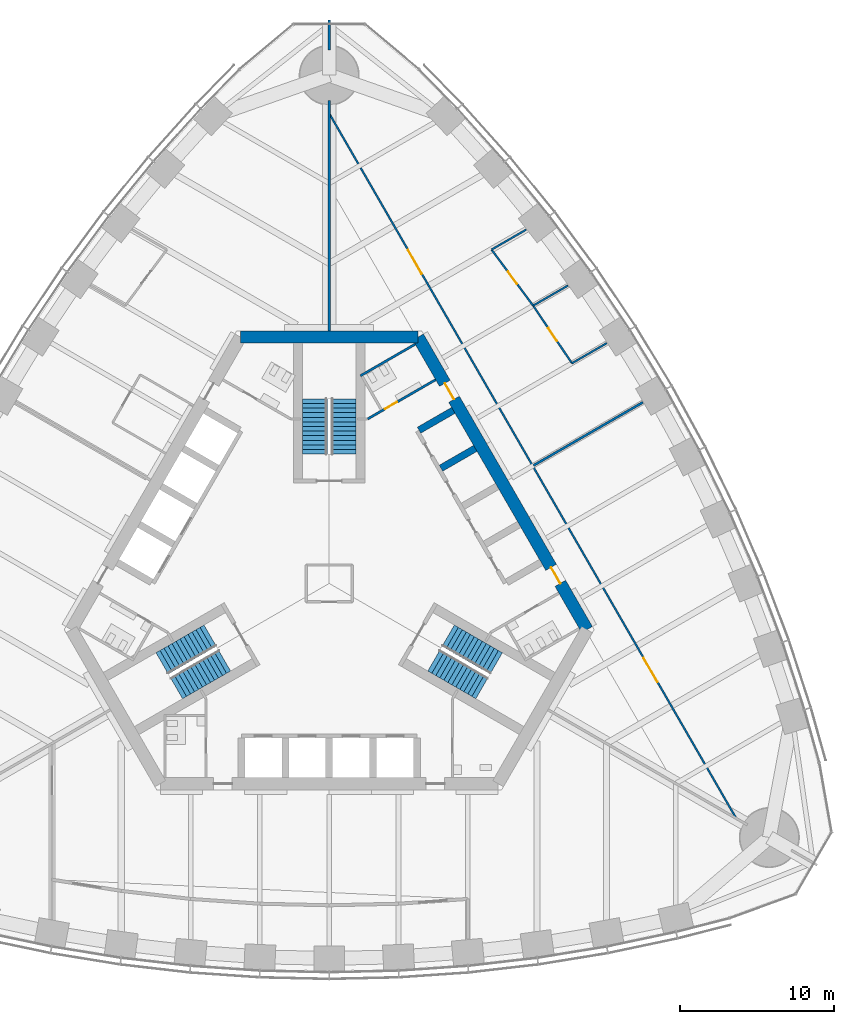
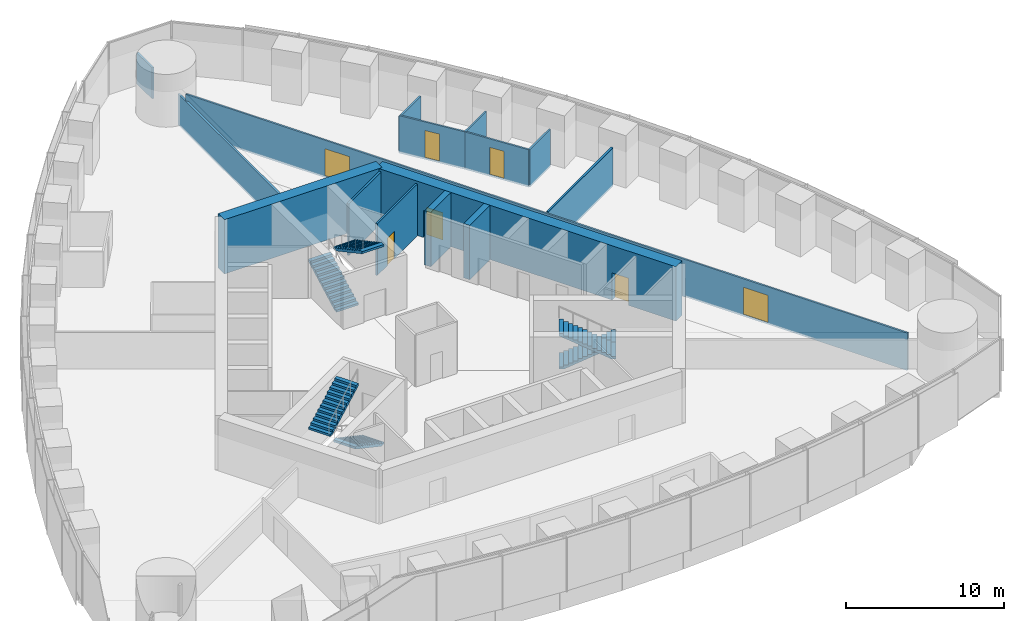
# One storey, part 13 of 18: 15 walls, 7 doors, 6 stair flights, 7 openings, 3 elements without a shape of their own.
"""IFC4 building model written with IfcOpenShell, lengths in metres."""

from ifc_helpers import new_model, si_unit, direction, frame, frame_2d, origin, place, context, subcontext, project, spatial, polyline, rectangle, outline, extrude, material, layer, layer_set, type_object, element, fill, aggregate, save


model = new_model("IFC4")

# Units and contexts
model_context = context("Model", 3, precision=1e-05, world=origin(), true_north=direction((0.0, 1.0)))
body_context = subcontext(model_context, "Body", "Model", "MODEL_VIEW")
ifc_project = project(units=[si_unit("LENGTHUNIT", "METRE"), si_unit("AREAUNIT", "SQUARE_METRE"), si_unit("VOLUMEUNIT", "CUBIC_METRE"), si_unit("PLANEANGLEUNIT", "RADIAN"), si_unit("MASSUNIT", "GRAM", prefix="KILO")], contexts=[model_context])

# Site, building, storey
site_placement = place(None, origin())
site = spatial("IfcSite", under=ifc_project, at=site_placement, CompositionType="ELEMENT")
building_placement = place(site_placement, origin())
building = spatial("IfcBuilding", under=site, at=building_placement, Name="Trefoil Bronze Tower", CompositionType="ELEMENT")
storey_placement = place(building_placement, frame((0.0, 0.0, 198.10009765625)))
storey = spatial("IfcBuildingStorey", under=building, at=storey_placement, Name="L45", CompositionType="ELEMENT", Elevation=198.10009765625)

# Wall, openings, doors
ifc_material_1 = material(Name="Concrete B80", Category="concrete")
ifc_layer_1 = layer(ifc_material_1, 0.800048828125)
ifc_layer_set_1 = layer_set([ifc_layer_1], Name="Core wall 800")
wall_type_1 = type_object("IfcWallType", Name="Core wall 800", PredefinedType="SHEAR", material=ifc_layer_set_1)
wall_1_placement = place(storey_placement, frame((16.7431640625, -3.0, 0.0), z_axis=(0.0, 0.0, 1.0), x_axis=(-0.500002442456, 0.866023993627, 0.0)))
wall_1 = element("IfcWall", 1, at=wall_1_placement, inside=storey, type_object=wall_type_1, Name="Core long wall 2 L45", PredefinedType="SHEAR", context=body_context, shape_type="SweptSolid", body=[
    extrude(rectangle(XDim=21.939453125, YDim=0.800048828125, at=frame_2d((10.9697265625, 0.0))), origin(), (0.0, 0.0, 1.0), 4.199951171875),
])
opening_1_placement = place(wall_1_placement, frame((17.269775390625, 0.0, 0.0)))
opening_1 = element("IfcOpeningElement", 2, at=opening_1_placement, cuts=wall_1, Name="Opening D2", PredefinedType="OPENING", context=body_context, shape_type="SweptSolid", body=[
    extrude(rectangle(XDim=1.199951171875, YDim=2.10009765625, at=frame_2d((0.60009765625, 1.050048828125))), frame((0.0, 0.409912109375, 0.0), z_axis=(0.0, -1.0, 0.0), x_axis=(1.0, 0.0, 0.0)), (0.0, 0.0, 1.0), 0.820068359375),
])
opening_2_placement = place(wall_1_placement, frame((3.4697265625, 0.0, 0.0)))
opening_2 = element("IfcOpeningElement", 3, at=opening_2_placement, cuts=wall_1, Name="Opening D2", PredefinedType="OPENING", context=body_context, shape_type="SweptSolid", body=[
    extrude(rectangle(XDim=1.199951171875, YDim=2.10009765625, at=frame_2d((0.60009765625, 1.050048828125))), frame((0.0, 0.409912109375, 0.0), z_axis=(0.0, -1.0, 0.0), x_axis=(1.0, 0.0, 0.0)), (0.0, 0.0, 1.0), 0.820068359375),
])
ifc_material_2 = material(Name="Steel door", Category="steel")
door_type_1 = type_object("IfcDoorType", Name="Lobby door 1200", OperationType="SINGLE_SWING_RIGHT", PredefinedType="DOOR", material=ifc_material_2)
door_1_placement = place(opening_1_placement, origin())
door_1 = element("IfcDoor", 4, at=door_1_placement, inside=storey, type_object=door_type_1, Name="Lobby door F2+ L45", OperationType="SINGLE_SWING_RIGHT", OverallHeight=2.10009765625, OverallWidth=1.199951171875, PredefinedType="DOOR", context=body_context, shape_type="SweptSolid", body=[
    extrude(rectangle(XDim=1.199951171875, YDim=2.10009765625, at=frame_2d((0.60009765625, 1.050048828125))), frame((0.0, 0.02490234375, 0.0), z_axis=(0.0, -1.0, 0.0), x_axis=(1.0, 0.0, 0.0)), (0.0, 0.0, 1.0), 0.050048828125),
])
fill(opening_1, door_1)
door_2_placement = place(opening_2_placement, origin())
door_2 = element("IfcDoor", 5, at=door_2_placement, inside=storey, type_object=door_type_1, Name="Lobby door F2- L45", OperationType="SINGLE_SWING_LEFT", OverallHeight=2.10009765625, OverallWidth=1.199951171875, PredefinedType="DOOR", context=body_context, shape_type="SweptSolid", body=[
    extrude(rectangle(XDim=1.199951171875, YDim=2.10009765625, at=frame_2d((0.60009765625, 1.050048828125))), frame((0.0, 0.02490234375, 0.0), z_axis=(0.0, -1.0, 0.0), x_axis=(1.0, 0.0, 0.0)), (0.0, 0.0, 1.0), 0.050048828125),
])
fill(opening_2, door_2)

# Wall
wall_2_placement = place(storey_placement, frame((5.7734375, 16.0, 0.0), z_axis=(0.0, 0.0, 1.0), x_axis=(-1.0, 0.0, 0.0)))
element("IfcWall", 6, at=wall_2_placement, inside=storey, type_object=wall_type_1, Name="Core short wall 2 L45", PredefinedType="SHEAR", context=body_context, shape_type="SweptSolid", body=[
    extrude(rectangle(XDim=11.546875, YDim=0.800048828125, at=frame_2d((5.7734375, 0.0))), origin(), (0.0, 0.0, 1.0), 4.199951171875),
])

# Wall, openings, doors
ifc_material_3 = material(Name="Glazed partition", Category="glass")
ifc_layer_2 = layer(ifc_material_3, 0.1201171875)
ifc_layer_set_2 = layer_set([ifc_layer_2], Name="Glazed partition 120")
wall_type_2 = type_object("IfcWallType", Name="Glazed partition 120", PredefinedType="PARTITIONING", material=ifc_layer_set_2)
wall_3_placement = place(storey_placement, frame((26.41455078125, -15.2314453125, 0.0), z_axis=(0.0, 0.0, 1.0), x_axis=(-0.50000091641, 0.866024874695, 0.0)))
wall_3 = element("IfcWall", 7, at=wall_3_placement, inside=storey, type_object=wall_type_2, Name="Partition F2 L45", PredefinedType="PARTITIONING", context=body_context, shape_type="SweptSolid", body=[
    extrude(rectangle(XDim=52.79638671875, YDim=0.1201171875, at=frame_2d((26.398193359375, 0.0))), origin(), (0.0, 0.0, 1.0), 2.89990234375),
])
opening_3_placement = place(wall_3_placement, frame((10.199951171875, 0.0, 0.14990234375)))
opening_3 = element("IfcOpeningElement", 8, at=opening_3_placement, cuts=wall_3, Name="Opening D10", PredefinedType="OPENING", context=body_context, shape_type="SweptSolid", body=[
    extrude(rectangle(XDim=1.800048828125, YDim=2.10009765625, at=frame_2d((0.89990234375, 1.050048828125))), frame((0.0, 0.070068359375, 0.0), z_axis=(0.0, -1.0, 0.0), x_axis=(1.0, 0.0, 0.0)), (0.0, 0.0, 1.0), 0.14013671875),
])
opening_4_placement = place(wall_3_placement, frame((40.800048828125, 0.0, 0.14990234375)))
opening_4 = element("IfcOpeningElement", 9, at=opening_4_placement, cuts=wall_3, Name="Opening D10", PredefinedType="OPENING", context=body_context, shape_type="SweptSolid", body=[
    extrude(rectangle(XDim=1.800048828125, YDim=2.10009765625, at=frame_2d((0.89990234375, 1.050048828125))), frame((0.0, 0.070068359375, 0.0), z_axis=(0.0, -1.0, 0.0), x_axis=(1.0, 0.0, 0.0)), (0.0, 0.0, 1.0), 0.14013671875),
])
ifc_material_4 = material(Name="Timber door", Category="wood")
door_type_2 = type_object("IfcDoorType", Name="Double door 1800", OperationType="DOUBLE_DOOR_SINGLE_SWING", PredefinedType="DOOR", material=ifc_material_4)
door_3_placement = place(opening_3_placement, origin())
door_3 = element("IfcDoor", 10, at=door_3_placement, inside=storey, type_object=door_type_2, Name="Corridor door F2 L45", OperationType="DOUBLE_DOOR_SINGLE_SWING", OverallHeight=2.10009765625, OverallWidth=1.800048828125, PredefinedType="DOOR", context=body_context, shape_type="SweptSolid", body=[
    extrude(rectangle(XDim=1.800048828125, YDim=2.10009765625, at=frame_2d((0.89990234375, 1.050048828125))), frame((0.0, 0.02490234375, 0.0), z_axis=(0.0, -1.0, 0.0), x_axis=(1.0, 0.0, 0.0)), (0.0, 0.0, 1.0), 0.050048828125),
])
fill(opening_3, door_3)
door_4_placement = place(opening_4_placement, origin())
door_4 = element("IfcDoor", 11, at=door_4_placement, inside=storey, type_object=door_type_2, Name="Corridor door F2 L45", OperationType="DOUBLE_DOOR_SINGLE_SWING", OverallHeight=2.10009765625, OverallWidth=1.800048828125, PredefinedType="DOOR", context=body_context, shape_type="SweptSolid", body=[
    extrude(rectangle(XDim=1.800048828125, YDim=2.10009765625, at=frame_2d((0.89990234375, 1.050048828125))), frame((0.0, 0.02490234375, 0.0), z_axis=(0.0, -1.0, 0.0), x_axis=(1.0, 0.0, 0.0)), (0.0, 0.0, 1.0), 0.050048828125),
])
fill(opening_4, door_4)

# Wall, opening, door
wall_4_placement = place(storey_placement, frame((15.760986328125, 14.295654296875, 0.0), z_axis=(0.0, 0.0, 1.0), x_axis=(-0.55850386778, 0.829501916619, 0.0)))
wall_4 = element("IfcWall", 12, at=wall_4_placement, inside=storey, type_object=wall_type_2, Name="Partition F2 L45", PredefinedType="PARTITIONING", context=body_context, shape_type="SweptSolid", body=[
    extrude(rectangle(XDim=4.5107421875, YDim=0.1201171875, at=frame_2d((2.25537109375, 0.0))), origin(), (0.0, 0.0, 1.0), 2.89990234375),
])
opening_5_placement = place(wall_4_placement, frame((1.75, 0.0, 0.14990234375)))
opening_5 = element("IfcOpeningElement", 13, at=opening_5_placement, cuts=wall_4, Name="Opening D9", PredefinedType="OPENING", context=body_context, shape_type="SweptSolid", body=[
    extrude(rectangle(XDim=1.0, YDim=2.10009765625, at=frame_2d((0.5, 1.050048828125))), frame((0.0, 0.070068359375, 0.0), z_axis=(0.0, -1.0, 0.0), x_axis=(1.0, 0.0, 0.0)), (0.0, 0.0, 1.0), 0.14013671875),
])
ifc_material_5 = material(Name="Glazed timber door", Category="wood")
door_type_3 = type_object("IfcDoorType", Name="Meeting room door 1000", OperationType="SINGLE_SWING_LEFT", PredefinedType="DOOR", material=ifc_material_5)
door_5_placement = place(opening_5_placement, frame((1.0, 0.0, 0.0), z_axis=(0.0, 0.0, 1.0), x_axis=(-1.0, 0.0, 0.0)))
door_5 = element("IfcDoor", 14, at=door_5_placement, inside=storey, type_object=door_type_3, Name="Meeting room door F2 L45", OperationType="SINGLE_SWING_RIGHT", OverallHeight=2.10009765625, OverallWidth=1.0, PredefinedType="DOOR", context=body_context, shape_type="SweptSolid", body=[
    extrude(rectangle(XDim=1.0, YDim=2.10009765625, at=frame_2d((0.5, 1.050048828125))), frame((0.0, 0.02490234375, 0.0), z_axis=(0.0, -1.0, 0.0), x_axis=(1.0, 0.0, 0.0)), (0.0, 0.0, 1.0), 0.050048828125),
])
fill(opening_5, door_5)

wall_5_placement = place(storey_placement, frame((13.24169921875, 18.037353515625, 0.0), z_axis=(0.0, 0.0, 1.0), x_axis=(-0.596173167565, 0.802855873912, 0.0)))
wall_5 = element("IfcWall", 15, at=wall_5_placement, inside=storey, type_object=wall_type_2, Name="Partition F2 L45", PredefinedType="PARTITIONING", context=body_context, shape_type="SweptSolid", body=[
    extrude(rectangle(XDim=4.530029296875, YDim=0.1201171875, at=frame_2d((2.26513671875, 0.0))), origin(), (0.0, 0.0, 1.0), 2.89990234375),
])
opening_6_placement = place(wall_5_placement, frame((1.75, 0.0, 0.14990234375)))
opening_6 = element("IfcOpeningElement", 16, at=opening_6_placement, cuts=wall_5, Name="Opening D9", PredefinedType="OPENING", context=body_context, shape_type="SweptSolid", body=[
    extrude(rectangle(XDim=1.0, YDim=2.10009765625, at=frame_2d((0.5, 1.050048828125))), frame((0.0, 0.070068359375, 0.0), z_axis=(0.0, -1.0, 0.0), x_axis=(1.0, 0.0, 0.0)), (0.0, 0.0, 1.0), 0.14013671875),
])
door_6_placement = place(opening_6_placement, frame((1.0, 0.0, 0.0), z_axis=(0.0, 0.0, 1.0), x_axis=(-1.0, 0.0, 0.0)))
door_6 = element("IfcDoor", 17, at=door_6_placement, inside=storey, type_object=door_type_3, Name="Meeting room door F2 L45", OperationType="SINGLE_SWING_RIGHT", OverallHeight=2.10009765625, OverallWidth=1.0, PredefinedType="DOOR", context=body_context, shape_type="SweptSolid", body=[
    extrude(rectangle(XDim=1.0, YDim=2.10009765625, at=frame_2d((0.5, 1.050048828125))), frame((0.0, 0.02490234375, 0.0), z_axis=(0.0, -1.0, 0.0), x_axis=(1.0, 0.0, 0.0)), (0.0, 0.0, 1.0), 0.050048828125),
])
fill(opening_6, door_6)

# Walls
wall_6_placement = place(storey_placement, frame((10.541015625, 21.67431640625, 0.0), z_axis=(0.0, 0.0, 1.0), x_axis=(0.866031051173, 0.499990218309, 0.0)))
element("IfcWall", 18, at=wall_6_placement, inside=storey, type_object=wall_type_2, Name="Partition F2 L45", PredefinedType="PARTITIONING", context=body_context, shape_type="SweptSolid", body=[
    extrude(rectangle(XDim=2.6044921875, YDim=0.1201171875, at=frame_2d((1.30224609375, 0.0))), origin(), (0.0, 0.0, 1.0), 2.7998046875),
])
wall_7_placement = place(storey_placement, frame((15.760986328125, 14.295654296875, 0.0), z_axis=(0.0, 0.0, 1.0), x_axis=(0.865979045404, 0.500080286476, 0.0)))
element("IfcWall", 19, at=wall_7_placement, inside=storey, type_object=wall_type_2, Name="Partition F2 L45", PredefinedType="PARTITIONING", context=body_context, shape_type="SweptSolid", body=[
    extrude(rectangle(XDim=2.6181640625, YDim=0.1201171875, at=frame_2d((1.30908203125, 0.0))), origin(), (0.0, 0.0, 1.0), 2.89990234375),
])
wall_8_placement = place(storey_placement, frame((13.24169921875, 18.037353515625, 0.0), z_axis=(0.0, 0.0, 1.0), x_axis=(0.866003542134, 0.500037863578, 0.0)))
element("IfcWall", 20, at=wall_8_placement, inside=storey, type_object=wall_type_2, Name="Partition F2 L45", PredefinedType="PARTITIONING", context=body_context, shape_type="SweptSolid", body=[
    extrude(rectangle(XDim=2.613037109375, YDim=0.1201171875, at=frame_2d((1.306640625, 0.0))), origin(), (0.0, 0.0, 1.0), 2.89990234375),
])
ifc_material_6 = material(Name="Concrete B80", Category="concrete")
ifc_layer_3 = layer(ifc_material_6, 0.449951171875)
ifc_layer_set_3 = layer_set([ifc_layer_3], Name="Outrigger shaft wall 450")
wall_type_3 = type_object("IfcWallType", Name="Outrigger shaft wall 450", PredefinedType="SHEAR", material=ifc_layer_set_3)
wall_9_placement = place(storey_placement, frame((7.2568359375, 7.480712890625, 0.0), z_axis=(0.0, 0.0, 1.0), x_axis=(0.866046643894, 0.499963209246, 0.0)))
element("IfcWall", 21, at=wall_9_placement, inside=storey, type_object=wall_type_3, Name="Lift shaft side wall B3 L45", PredefinedType="SHEAR", context=body_context, shape_type="SweptSolid", body=[
    extrude(rectangle(XDim=2.574951171875, YDim=0.449951171875, at=frame_2d((1.28759765625, 0.0))), origin(), (0.0, 0.0, 1.0), 4.199951171875),
])
wall_10_placement = place(storey_placement, frame((5.831787109375, 9.94873046875, 0.0), z_axis=(0.0, 0.0, 1.0), x_axis=(0.866029291668, 0.499993265928, 0.0)))
element("IfcWall", 22, at=wall_10_placement, inside=storey, type_object=wall_type_3, Name="Lift shaft side wall B4 L45", PredefinedType="SHEAR", context=body_context, shape_type="SweptSolid", body=[
    extrude(rectangle(XDim=2.5751953125, YDim=0.449951171875, at=frame_2d((1.28759765625, 0.0))), origin(), (0.0, 0.0, 1.0), 4.199951171875),
])

# Wall, opening, door
ifc_material_7 = material(Name="Gypsum board on steel studs", Category="steel")
ifc_layer_4 = layer(ifc_material_7, 0.14990234375)
ifc_layer_set_4 = layer_set([ifc_layer_4], Name="Partition 150")
wall_type_4 = type_object("IfcWallType", Name="Partition 150", PredefinedType="PARTITIONING", material=ifc_layer_set_4)
wall_11_placement = place(storey_placement, frame((2.4951171875, 10.67822265625, 0.0), z_axis=(0.0, 0.0, 1.0), x_axis=(0.86602216432, 0.500005610874, 0.0)))
wall_11 = element("IfcWall", 23, at=wall_11_placement, inside=storey, type_object=wall_type_4, Name="Passage wall F2+ L45", PredefinedType="PARTITIONING", context=body_context, shape_type="SweptSolid", body=[
    extrude(rectangle(XDim=5.10009765625, YDim=0.14990234375, at=frame_2d((2.550048828125, 0.0))), origin(), (0.0, 0.0, 1.0), 4.0),
])
opening_7_placement = place(wall_11_placement, frame((1.300048828125, 0.0, 0.0)))
opening_7 = element("IfcOpeningElement", 24, at=opening_7_placement, cuts=wall_11, Name="Opening D3", PredefinedType="OPENING", context=body_context, shape_type="SweptSolid", body=[
    extrude(rectangle(XDim=0.89990234375, YDim=2.10009765625, at=frame_2d((0.449951171875, 1.050048828125))), frame((0.0, 0.0849609375, 0.0), z_axis=(0.0, -1.0, 0.0), x_axis=(1.0, 0.0, 0.0)), (0.0, 0.0, 1.0), 0.169921875),
])
ifc_material_8 = material(Name="Timber door", Category="wood")
door_type_4 = type_object("IfcDoorType", Name="WC door 900", OperationType="SINGLE_SWING_LEFT", PredefinedType="DOOR", material=ifc_material_8)
door_7_placement = place(opening_7_placement, origin())
door_7 = element("IfcDoor", 25, at=door_7_placement, inside=storey, type_object=door_type_4, Name="WC (men) door L45", OperationType="SINGLE_SWING_LEFT", OverallHeight=2.10009765625, OverallWidth=0.89990234375, PredefinedType="DOOR", context=body_context, shape_type="SweptSolid", body=[
    extrude(rectangle(XDim=0.89990234375, YDim=2.10009765625, at=frame_2d((0.449951171875, 1.050048828125))), frame((0.0, 0.02490234375, 0.0), z_axis=(0.0, -1.0, 0.0), x_axis=(1.0, 0.0, 0.0)), (0.0, 0.0, 1.0), 0.050048828125),
])
fill(opening_7, door_7)

# Walls
wall_12_placement = place(storey_placement, frame((2.03125, 13.48193359375, 0.0), z_axis=(0.0, 0.0, 1.0), x_axis=(0.866050731258, 0.499956128963, 0.0)))
element("IfcWall", 26, at=wall_12_placement, inside=storey, type_object=wall_type_4, Name="WC partition WC (men) L45", PredefinedType="PARTITIONING", context=body_context, shape_type="SweptSolid", body=[
    extrude(rectangle(XDim=4.099853515625, YDim=0.14990234375, at=frame_2d((2.0498046875, 0.0))), origin(), (0.0, 0.0, 1.0), 4.0),
])
ifc_material_9 = material(Name="Gypsum board on steel studs", Category="steel")
ifc_layer_5 = layer(ifc_material_9, 0.14990234375)
ifc_layer_set_5 = layer_set([ifc_layer_5], Name="Party wall 150")
wall_type_5 = type_object("IfcWallType", Name="Party wall 150", PredefinedType="PARTITIONING", material=ifc_layer_set_5)
wall_13_placement = place(storey_placement, frame((0.0, 16.39990234375, 0.0), z_axis=(0.0, 0.0, 1.0), x_axis=(0.0, 1.0, 0.0)))
element("IfcWall", 27, at=wall_13_placement, inside=storey, type_object=wall_type_5, Name="Party wall K2 L45", PredefinedType="PARTITIONING", context=body_context, shape_type="SweptSolid", body=[
    extrude(rectangle(XDim=14.9501953125, YDim=0.14990234375, at=frame_2d((7.47509765625, 0.0))), origin(), (0.0, 0.0, 1.0), 2.39990234375),
])
wall_14_placement = place(storey_placement, frame((0.0, 34.64990234375, 0.0), z_axis=(0.0, 0.0, 1.0), x_axis=(0.0, 1.0, 0.0)))
element("IfcWall", 28, at=wall_14_placement, inside=storey, type_object=wall_type_5, Name="Party wall K2 L45", PredefinedType="PARTITIONING", context=body_context, shape_type="SweptSolid", body=[
    extrude(rectangle(XDim=1.934814453125, YDim=0.14990234375, at=frame_2d((0.96728515625, 0.0))), origin(), (0.0, 0.0, 1.0), 2.39990234375),
])
wall_15_placement = place(storey_placement, frame((13.267578125, 7.659912109375, 0.0), z_axis=(0.0, 0.0, 1.0), x_axis=(0.866019499219, 0.500010226868, 0.0)))
element("IfcWall", 29, at=wall_15_placement, inside=storey, type_object=wall_type_5, Name="Demising wall F2 L45", PredefinedType="PARTITIONING", context=body_context, shape_type="SweptSolid", body=[
    extrude(rectangle(XDim=8.200439453125, YDim=0.14990234375, at=frame_2d((4.10009765625, 0.0))), origin(), (0.0, 0.0, 1.0), 2.991943359375),
])

# Stair, stair flights
ifc_material_10 = material(Name="Precast concrete B80", Category="concrete")
stair_type = type_object("IfcStairType", Name="Exit stair 26 risers", PredefinedType="HALF_TURN_STAIR", material=ifc_material_10)
stair_1_placement = place(storey_placement, origin())
stair_1 = element("IfcStair", 30, at=stair_1_placement, inside=storey, type_object=stair_type, Name="Stair ST1 L45", PredefinedType="HALF_TURN_STAIR")
ifc_material_11 = material(Name="Precast concrete B80", Category="concrete")
stair_flight_type = type_object("IfcStairFlightType", Name="Stair flight 1600", PredefinedType="STRAIGHT", material=ifc_material_11)
stair_flight_1_placement = place(storey_placement, frame((7.728515625, -3.39404296875, 0.0), z_axis=(0.0, 0.0, 1.0), x_axis=(0.866025403784, -0.5, 0.0)))
stair_flight_1 = element("IfcStairFlight", 31, at=stair_flight_1_placement, type_object=stair_flight_type, Name="ST1 flight 1", NumberOfRisers=13, NumberOfTreads=12, PredefinedType="STRAIGHT", RiserHeight=0.161538462, TreadLength=0.3, context=body_context, shape_type="SweptSolid", body=[
    extrude(outline(polyline([(0.0, 0.0), (0.0, 0.16162109375), (0.300048828125, 0.16162109375), (0.300048828125, 0.322998046875), (0.60009765625, 0.322998046875), (0.60009765625, 0.484619140625), (0.89990234375, 0.484619140625), (0.89990234375, 0.646240234375), (1.199951171875, 0.646240234375), (1.199951171875, 0.8076171875), (1.5, 0.8076171875), (1.5, 0.96923828125), (1.800048828125, 0.96923828125), (1.800048828125, 1.130859375), (2.10009765625, 1.130859375), (2.10009765625, 1.292236328125), (2.39990234375, 1.292236328125), (2.39990234375, 1.453857421875), (2.699951171875, 1.453857421875), (2.699951171875, 1.615478515625), (3.0, 1.615478515625), (3.0, 1.77685546875), (3.300048828125, 1.77685546875), (3.300048828125, 1.9384765625), (3.60009765625, 1.9384765625), (3.60009765625, 2.10009765625), (3.60009765625, 1.768310546875), (0.316162109375, 0.0), (0.0, 0.0)])), frame((0.0, 0.800048828125, 0.0), z_axis=(0.0, -1.0, 0.0), x_axis=(1.0, 0.0, 0.0)), (0.0, 0.0, 1.0), 1.60009765625),
])
stair_flight_2_placement = place(storey_placement, frame((9.921142578125, -6.796142578125, 2.099853515625), z_axis=(0.0, 0.0, 1.0), x_axis=(-0.866025403784, 0.5, 0.0)))
stair_flight_2 = element("IfcStairFlight", 32, at=stair_flight_2_placement, type_object=stair_flight_type, Name="ST1 flight 2", NumberOfRisers=13, NumberOfTreads=12, PredefinedType="STRAIGHT", RiserHeight=0.161538462, TreadLength=0.3, context=body_context, shape_type="SweptSolid", body=[
    extrude(outline(polyline([(0.0, 0.0), (0.0, 0.16162109375), (0.300048828125, 0.16162109375), (0.300048828125, 0.322998046875), (0.60009765625, 0.322998046875), (0.60009765625, 0.484619140625), (0.89990234375, 0.484619140625), (0.89990234375, 0.646240234375), (1.199951171875, 0.646240234375), (1.199951171875, 0.8076171875), (1.5, 0.8076171875), (1.5, 0.96923828125), (1.800048828125, 0.96923828125), (1.800048828125, 1.130859375), (2.10009765625, 1.130859375), (2.10009765625, 1.292236328125), (2.39990234375, 1.292236328125), (2.39990234375, 1.453857421875), (2.699951171875, 1.453857421875), (2.699951171875, 1.615478515625), (3.0, 1.615478515625), (3.0, 1.77685546875), (3.300048828125, 1.77685546875), (3.300048828125, 1.9384765625), (3.60009765625, 1.9384765625), (3.60009765625, 2.10009765625), (3.60009765625, 1.768310546875), (0.316162109375, 0.0), (0.0, 0.0)])), frame((0.0, 0.800048828125, 0.0), z_axis=(0.0, -1.0, 0.0), x_axis=(1.0, 0.0, 0.0)), (0.0, 0.0, 1.0), 1.60009765625),
])
aggregate(stair_1, [stair_flight_1, stair_flight_2])

stair_2_placement = place(storey_placement, origin())
stair_2 = element("IfcStair", 33, at=stair_2_placement, inside=storey, type_object=stair_type, Name="Stair ST2 L45", PredefinedType="HALF_TURN_STAIR")
stair_flight_3_placement = place(storey_placement, frame((-0.925048828125, 8.389892578125, 0.0), z_axis=(0.0, 0.0, 1.0), x_axis=(0.0, 1.0, 0.0)))
stair_flight_3 = element("IfcStairFlight", 34, at=stair_flight_3_placement, type_object=stair_flight_type, Name="ST2 flight 1", NumberOfRisers=13, NumberOfTreads=12, PredefinedType="STRAIGHT", RiserHeight=0.161538462, TreadLength=0.3, context=body_context, shape_type="SweptSolid", body=[
    extrude(outline(polyline([(0.0, 0.0), (0.0, 0.16162109375), (0.300048828125, 0.16162109375), (0.300048828125, 0.322998046875), (0.60009765625, 0.322998046875), (0.60009765625, 0.484619140625), (0.89990234375, 0.484619140625), (0.89990234375, 0.646240234375), (1.199951171875, 0.646240234375), (1.199951171875, 0.8076171875), (1.5, 0.8076171875), (1.5, 0.96923828125), (1.800048828125, 0.96923828125), (1.800048828125, 1.130859375), (2.10009765625, 1.130859375), (2.10009765625, 1.292236328125), (2.39990234375, 1.292236328125), (2.39990234375, 1.453857421875), (2.699951171875, 1.453857421875), (2.699951171875, 1.615478515625), (3.0, 1.615478515625), (3.0, 1.77685546875), (3.300048828125, 1.77685546875), (3.300048828125, 1.9384765625), (3.60009765625, 1.9384765625), (3.60009765625, 2.10009765625), (3.60009765625, 1.768310546875), (0.316162109375, 0.0), (0.0, 0.0)])), frame((0.0, 0.800048828125, 0.0), z_axis=(0.0, -1.0, 0.0), x_axis=(1.0, 0.0, 0.0)), (0.0, 0.0, 1.0), 1.60009765625),
])
stair_flight_4_placement = place(storey_placement, frame((0.925048828125, 11.989990234375, 2.099853515625), z_axis=(0.0, 0.0, 1.0), x_axis=(0.0, -1.0, 0.0)))
stair_flight_4 = element("IfcStairFlight", 35, at=stair_flight_4_placement, type_object=stair_flight_type, Name="ST2 flight 2", NumberOfRisers=13, NumberOfTreads=12, PredefinedType="STRAIGHT", RiserHeight=0.161538462, TreadLength=0.3, context=body_context, shape_type="SweptSolid", body=[
    extrude(outline(polyline([(0.0, 0.0), (0.0, 0.16162109375), (0.300048828125, 0.16162109375), (0.300048828125, 0.322998046875), (0.60009765625, 0.322998046875), (0.60009765625, 0.484619140625), (0.89990234375, 0.484619140625), (0.89990234375, 0.646240234375), (1.199951171875, 0.646240234375), (1.199951171875, 0.8076171875), (1.5, 0.8076171875), (1.5, 0.96923828125), (1.800048828125, 0.96923828125), (1.800048828125, 1.130859375), (2.10009765625, 1.130859375), (2.10009765625, 1.292236328125), (2.39990234375, 1.292236328125), (2.39990234375, 1.453857421875), (2.699951171875, 1.453857421875), (2.699951171875, 1.615478515625), (3.0, 1.615478515625), (3.0, 1.77685546875), (3.300048828125, 1.77685546875), (3.300048828125, 1.9384765625), (3.60009765625, 1.9384765625), (3.60009765625, 2.10009765625), (3.60009765625, 1.768310546875), (0.316162109375, 0.0), (0.0, 0.0)])), frame((0.0, 0.800048828125, 0.0), z_axis=(0.0, -1.0, 0.0), x_axis=(1.0, 0.0, 0.0)), (0.0, 0.0, 1.0), 1.60009765625),
])
aggregate(stair_2, [stair_flight_3, stair_flight_4])

stair_3_placement = place(storey_placement, origin())
stair_3 = element("IfcStair", 36, at=stair_3_placement, inside=storey, type_object=stair_type, Name="Stair ST3 L45", PredefinedType="HALF_TURN_STAIR")
stair_flight_5_placement = place(storey_placement, frame((-6.803466796875, -4.99609375, 0.0), z_axis=(0.0, 0.0, 1.0), x_axis=(-0.866025403784, -0.5, 0.0)))
stair_flight_5 = element("IfcStairFlight", 37, at=stair_flight_5_placement, type_object=stair_flight_type, Name="ST3 flight 1", NumberOfRisers=13, NumberOfTreads=12, PredefinedType="STRAIGHT", RiserHeight=0.161538462, TreadLength=0.3, context=body_context, shape_type="SweptSolid", body=[
    extrude(outline(polyline([(0.0, 0.0), (0.0, 0.16162109375), (0.300048828125, 0.16162109375), (0.300048828125, 0.322998046875), (0.60009765625, 0.322998046875), (0.60009765625, 0.484619140625), (0.89990234375, 0.484619140625), (0.89990234375, 0.646240234375), (1.199951171875, 0.646240234375), (1.199951171875, 0.8076171875), (1.5, 0.8076171875), (1.5, 0.96923828125), (1.800048828125, 0.96923828125), (1.800048828125, 1.130859375), (2.10009765625, 1.130859375), (2.10009765625, 1.292236328125), (2.39990234375, 1.292236328125), (2.39990234375, 1.453857421875), (2.699951171875, 1.453857421875), (2.699951171875, 1.615478515625), (3.0, 1.615478515625), (3.0, 1.77685546875), (3.300048828125, 1.77685546875), (3.300048828125, 1.9384765625), (3.60009765625, 1.9384765625), (3.60009765625, 2.10009765625), (3.60009765625, 1.768310546875), (0.316162109375, 0.0), (0.0, 0.0)])), frame((0.0, 0.800048828125, 0.0), z_axis=(0.0, -1.0, 0.0), x_axis=(1.0, 0.0, 0.0)), (0.0, 0.0, 1.0), 1.60009765625),
])
stair_flight_6_placement = place(storey_placement, frame((-10.84619140625, -5.19384765625, 2.099853515625), z_axis=(0.0, 0.0, 1.0), x_axis=(0.866025403784, 0.5, 0.0)))
stair_flight_6 = element("IfcStairFlight", 38, at=stair_flight_6_placement, type_object=stair_flight_type, Name="ST3 flight 2", NumberOfRisers=13, NumberOfTreads=12, PredefinedType="STRAIGHT", RiserHeight=0.161538462, TreadLength=0.3, context=body_context, shape_type="SweptSolid", body=[
    extrude(outline(polyline([(0.0, 0.0), (0.0, 0.16162109375), (0.300048828125, 0.16162109375), (0.300048828125, 0.322998046875), (0.60009765625, 0.322998046875), (0.60009765625, 0.484619140625), (0.89990234375, 0.484619140625), (0.89990234375, 0.646240234375), (1.199951171875, 0.646240234375), (1.199951171875, 0.8076171875), (1.5, 0.8076171875), (1.5, 0.96923828125), (1.800048828125, 0.96923828125), (1.800048828125, 1.130859375), (2.10009765625, 1.130859375), (2.10009765625, 1.292236328125), (2.39990234375, 1.292236328125), (2.39990234375, 1.453857421875), (2.699951171875, 1.453857421875), (2.699951171875, 1.615478515625), (3.0, 1.615478515625), (3.0, 1.77685546875), (3.300048828125, 1.77685546875), (3.300048828125, 1.9384765625), (3.60009765625, 1.9384765625), (3.60009765625, 2.10009765625), (3.60009765625, 1.768310546875), (0.316162109375, 0.0), (0.0, 0.0)])), frame((0.0, 0.800048828125, 0.0), z_axis=(0.0, -1.0, 0.0), x_axis=(1.0, 0.0, 0.0)), (0.0, 0.0, 1.0), 1.60009765625),
])
aggregate(stair_3, [stair_flight_5, stair_flight_6])

save(model, "model.ifc")
